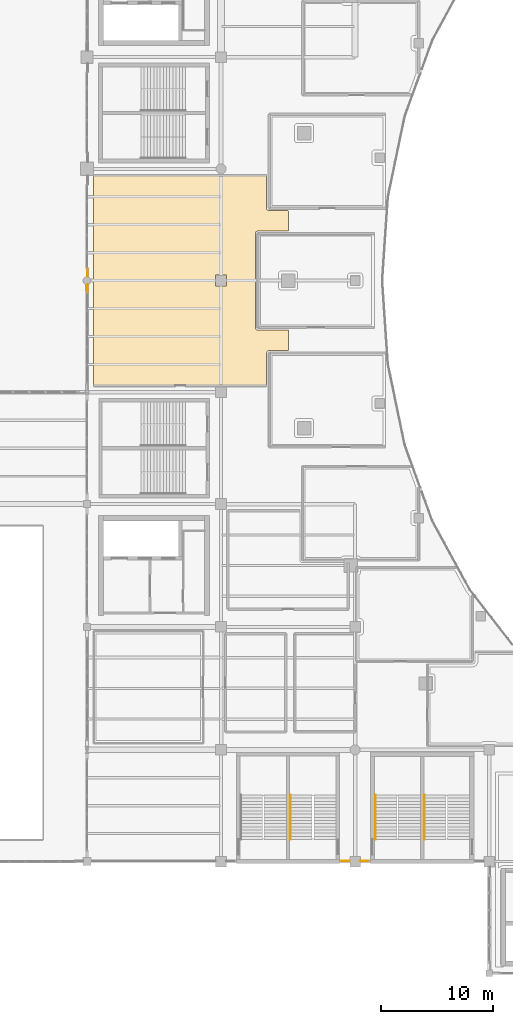
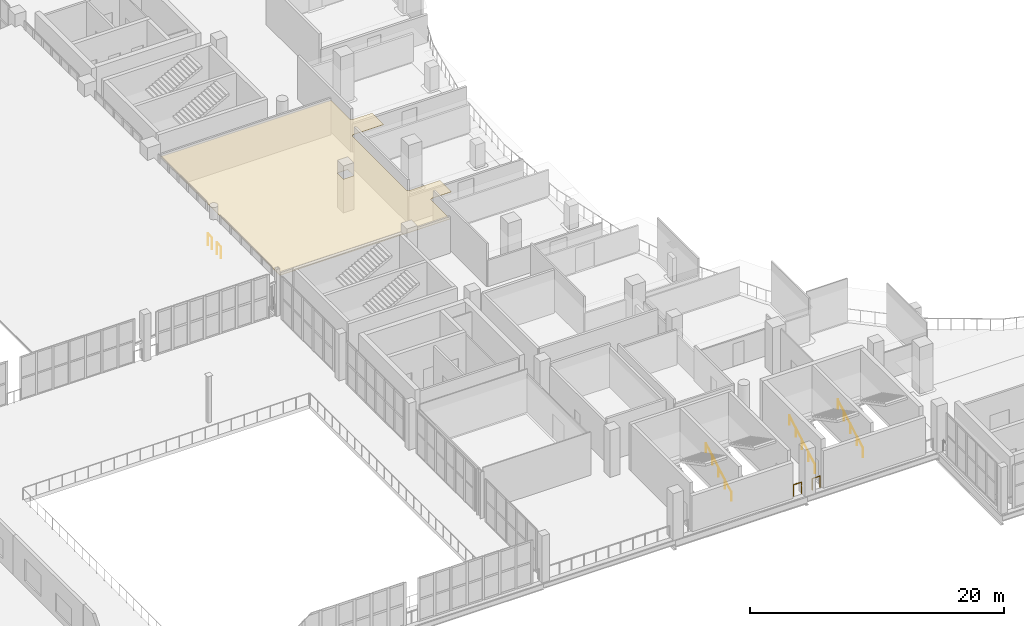
# One storey, part 77 of 90: 7 railings, 1 covering.
"""IFC4 building model written with IfcOpenShell, lengths in metres."""

import ifcopenshell
import ifcopenshell.guid

model = None  # the IFC model being written
_history = None  # IfcOwnerHistory: only IFC2X3 demands one
_inside = {}  # id of a spatial element -> (the spatial element, [elements in it])
_under = {}  # id of a project, library or spatial element -> (it, [spatial elements below it])
_declared = {}  # id of a project -> (the project, [libraries it declares])
_typed = {}  # id of a type object -> (the type object, [elements of that type])
_made_of = {}  # id of a material, layer set ... -> (it, [elements and type objects made of it])


def new_model(schema):
    """Start an empty IFC model of exactly this schema.

    Asked for "IFC4X3", IfcOpenShell would pick the latest addendum, in which some entities
    have other attributes; the version numbers below select the first issue.
    IFC2X3 requires an IfcOwnerHistory on every rooted entity: one is made here for all.
    """
    global model, _history
    if schema == "IFC4X3":
        model = ifcopenshell.file(schema_version=(4, 3, 0, 0))
    else:
        model = ifcopenshell.file(schema=schema)
    _inside.clear()
    _under.clear()
    _declared.clear()
    _typed.clear()
    _made_of.clear()
    _history = None
    if model.schema == "IFC2X3":
        org = make("IfcOrganization", Name="unknown")
        user = make(
            "IfcPersonAndOrganization",
            ThePerson=make("IfcPerson", FamilyName="unknown"),
            TheOrganization=org,
        )
        app = make(
            "IfcApplication",
            ApplicationDeveloper=org,
            Version="unknown",
            ApplicationFullName="unknown",
            ApplicationIdentifier="unknown",
        )
        _history = make(
            "IfcOwnerHistory",
            OwningUser=user,
            OwningApplication=app,
            ChangeAction="ADDED",
            CreationDate=0,
        )
    return model


def make(cls, **values):
    """One entity of the class cls with the attributes given. An attribute that is None is left unset."""
    return model.create_entity(
        cls, **{name: value for name, value in values.items() if value is not None}
    )


def rooted(cls, **values):
    """An entity with a GlobalId (a new one), such as an element, a storey or a relation."""
    return make(cls, GlobalId=ifcopenshell.guid.new(), OwnerHistory=_history, **values)


def si_unit(unit_type, name, prefix=None):
    """IfcSIUnit, for example si_unit("LENGTHUNIT", "METRE", prefix="MILLI")."""
    return make("IfcSIUnit", UnitType=unit_type, Prefix=prefix, Name=name)


def assignment(units):
    """IfcUnitAssignment: the units of a project."""
    return None if units is None else make("IfcUnitAssignment", Units=units)


def point(xyz):
    """IfcCartesianPoint."""
    return None if xyz is None else make("IfcCartesianPoint", Coordinates=xyz)


def direction(xyz):
    """IfcDirection."""
    return None if xyz is None else make("IfcDirection", DirectionRatios=xyz)


def frame(location, z_axis=None, x_axis=None):
    """IfcAxis2Placement3D, a coordinate frame: its origin and axes. An axis left out is left unset."""
    return make(
        "IfcAxis2Placement3D",
        Location=point(location),
        Axis=direction(z_axis),
        RefDirection=direction(x_axis),
    )


def frame_2d(location, x_axis=None):
    """IfcAxis2Placement2D, a coordinate frame in the plane: its origin and x axis."""
    return make(
        "IfcAxis2Placement2D", Location=point(location), RefDirection=direction(x_axis)
    )


def origin():
    """The frame at (0, 0, 0) with its axes left unset."""
    return frame((0.0, 0.0, 0.0))


def origin_2d():
    """The frame at (0, 0) in the plane with its x axis left unset."""
    return frame_2d((0.0, 0.0))


def place(relative_to, where):
    """IfcLocalPlacement: puts the frame where relative to a parent placement (None: the world)."""
    return make(
        "IfcLocalPlacement", PlacementRelTo=relative_to, RelativePlacement=where
    )


def context(
    kind, dimensions, precision=None, world=None, true_north=None, identifier=None
):
    """IfcGeometricRepresentationContext, for example the 3D "Model" context."""
    return make(
        "IfcGeometricRepresentationContext",
        ContextIdentifier=identifier,
        ContextType=kind,
        CoordinateSpaceDimension=dimensions,
        Precision=precision,
        WorldCoordinateSystem=world,
        TrueNorth=true_north,
    )


def subcontext(parent, identifier, kind, view, scale=None):
    """IfcGeometricRepresentationSubContext, for example "Body" below "Model"."""
    return make(
        "IfcGeometricRepresentationSubContext",
        ContextIdentifier=identifier,
        ContextType=kind,
        ParentContext=parent,
        TargetScale=scale,
        TargetView=view,
    )


def project(units=None, contexts=None):
    """IfcProject with its units and contexts."""
    return rooted(
        "IfcProject",
        Name="project",
        RepresentationContexts=contexts,
        UnitsInContext=assignment(units),
    )


def spatial(cls, under=None, at=None, **own):
    """A site, building, storey or space (cls), placed at a placement, below another one or the project."""
    s = rooted(cls, ObjectPlacement=at, **own)
    if under is not None:
        _under.setdefault(under.id(), (under, []))[1].append(s)
    return s


def polyline(points):
    """IfcPolyline through the points."""
    return make("IfcPolyline", Points=[point(p) for p in points])


def profile(cls, at=None, kind="AREA", **sizes):
    """A parametric profile (cls). Its sizes go by their IFC names, for example OverallWidth=200.0."""
    return make(cls, ProfileType=kind, Position=at, **sizes)


def circle(**sizes):
    """IfcCircleProfileDef."""
    return profile("IfcCircleProfileDef", **sizes)


def outline(outer, holes=None, kind="AREA"):
    """IfcArbitraryClosedProfileDef: a profile drawn as a closed curve; with holes, ...WithVoids."""
    if holes is None:
        return make("IfcArbitraryClosedProfileDef", ProfileType=kind, OuterCurve=outer)
    return make(
        "IfcArbitraryProfileDefWithVoids",
        ProfileType=kind,
        OuterCurve=outer,
        InnerCurves=holes,
    )


def extrude(swept, where, along, depth):
    """IfcExtrudedAreaSolid: the profile swept, set in the frame where, extruded along a direction by depth."""
    return make(
        "IfcExtrudedAreaSolid",
        SweptArea=swept,
        Position=where,
        ExtrudedDirection=direction(along),
        Depth=depth,
    )


def shape(context_of_items, identifier, shape_type, items):
    """IfcShapeRepresentation: the items that make up one representation, for example the "Body"."""
    return make(
        "IfcShapeRepresentation",
        ContextOfItems=context_of_items,
        RepresentationIdentifier=identifier,
        RepresentationType=shape_type,
        Items=items,
    )


def material(Name=None, Category=None):
    """IfcMaterial."""
    return make("IfcMaterial", Name=Name, Category=Category)


def layer(
    of_material, thickness, ventilated=None, Name=None, Category=None, Priority=None
):
    """IfcMaterialLayer: one layer of a wall or slab, of a material (None: an air gap)."""
    return make(
        "IfcMaterialLayer",
        Material=of_material,
        LayerThickness=thickness,
        IsVentilated=ventilated,
        Name=Name,
        Category=Category,
        Priority=Priority,
    )


def layer_set(layers, Name=None):
    """IfcMaterialLayerSet."""
    return make("IfcMaterialLayerSet", MaterialLayers=layers, LayerSetName=Name)


def made_of(thing, what):
    """Note that an element or type object is made of a material, layer set ...; save() writes the relation."""
    if what is not None:
        _made_of.setdefault(what.id(), (what, []))[1].append(thing)
    return thing


def type_object(cls, material=None, **own):
    """A type object (cls), such as IfcWallType, which elements share."""
    return made_of(rooted(cls, **own), material)


def element(
    cls,
    number,
    at=None,
    inside=None,
    cuts=None,
    type_object=None,
    material=None,
    context=None,
    identifier="Body",
    shape_type=None,
    held_by="IfcProductDefinitionShape",
    body=None,
    shapes=None,
    **own,
):
    """One element of the class cls, such as IfcWall. Its Tag is "e" and its number.

    at: its placement. inside: the storey or other place that contains it. cuts: it is an
    opening in that element (IfcRelVoidsElement). A single representation is given by context,
    identifier, shape_type and body (its items); several are given by shapes. held_by: the class
    of the entity that holds the representations. save() writes the other relations.
    """
    e = rooted(cls, Tag="e%d" % number, ObjectPlacement=at, **own)
    if body is not None:
        shapes = [shape(context, identifier, shape_type, body)]
    if shapes is not None:
        e.Representation = make(held_by, Representations=shapes)
    if inside is not None:
        _inside.setdefault(inside.id(), (inside, []))[1].append(e)
    if cuts is not None:
        rooted(
            "IfcRelVoidsElement", RelatingBuildingElement=cuts, RelatedOpeningElement=e
        )
    if type_object is not None:
        _typed.setdefault(type_object.id(), (type_object, []))[1].append(e)
    return made_of(e, material)


def aggregate(whole, parts):
    """IfcRelAggregates: a whole, such as a stair, and the parts it consists of."""
    return rooted("IfcRelAggregates", RelatingObject=whole, RelatedObjects=parts)


def save(model, path):
    """Write the relations noted so far, then the file.

    IfcRelAggregates (storeys below a building ...), IfcRelContainedInSpatialStructure (elements
    in a storey), IfcRelDefinesByType, IfcRelAssociatesMaterial and IfcRelDeclares: one each for
    every whole, place, type object, material and project.
    """
    for whole, parts in _under.values():
        aggregate(whole, parts)
    for where, things in _inside.values():
        rooted(
            "IfcRelContainedInSpatialStructure",
            RelatedElements=things,
            RelatingStructure=where,
        )
    for kind, things in _typed.values():
        rooted("IfcRelDefinesByType", RelatedObjects=things, RelatingType=kind)
    for what, things in _made_of.values():
        rooted("IfcRelAssociatesMaterial", RelatedObjects=things, RelatingMaterial=what)
    for by, libraries in _declared.values():
        rooted("IfcRelDeclares", RelatingContext=by, RelatedDefinitions=libraries)
    model.write(path)


model = new_model("IFC4")

# Units and contexts
model_context = context("Model", 3, precision=1e-05, world=origin(), true_north=direction((0.0, 1.0)))
body_context = subcontext(model_context, "Body", "Model", "MODEL_VIEW")
ifc_project = project(units=[si_unit("LENGTHUNIT", "METRE"), si_unit("AREAUNIT", "SQUARE_METRE"), si_unit("VOLUMEUNIT", "CUBIC_METRE"), si_unit("PLANEANGLEUNIT", "RADIAN"), si_unit("MASSUNIT", "GRAM", prefix="KILO")], contexts=[model_context])

# Site, building, storey
site_placement = place(None, origin())
site = spatial("IfcSite", under=ifc_project, at=site_placement, CompositionType="ELEMENT")
building_placement = place(site_placement, origin())
building = spatial("IfcBuilding", under=site, at=building_placement, Name="Brinegate Civic Arena", CompositionType="ELEMENT")
storey_placement = place(building_placement, frame((0.0, 0.0, 14.699951171875)))
storey = spatial("IfcBuildingStorey", under=building, at=storey_placement, Name="L03", CompositionType="ELEMENT", Elevation=14.699951171875)

# Covering
ifc_material_1 = material(Name="Acoustic perforated aluminium ceiling", Category="aluminium")
ifc_layer = layer(ifc_material_1, 0.034912109375, Name="Acoustic perforated aluminium ceiling")
ifc_layer_set = layer_set([ifc_layer], Name="Acoustic perforated aluminium ceiling")
covering_type = type_object("IfcCoveringType", Name="CEILING-ACOUSTIC-35", PredefinedType="CEILING", material=ifc_layer_set)
covering_placement = place(storey_placement, frame((0.0, 0.0, 3.22509765625)))
element("IfcCovering", 1, at=covering_placement, inside=storey, type_object=covering_type, Name="Acoustic Ceiling L03-007", PredefinedType="CEILING", context=body_context, shape_type="SweptSolid", body=[
    extrude(outline(polyline([(64.06591796875, 71.419921875), (64.068115234375, 71.4189453125), (64.070068359375, 71.41796875), (64.071044921875, 71.41796875), (64.072998046875, 71.4169921875), (64.074951171875, 71.4150390625), (64.075927734375, 71.4140625), (64.076904296875, 71.4130859375), (64.0791015625, 71.410888671875), (64.080078125, 71.408935546875), (64.080078125, 71.407958984375), (64.0810546875, 71.406005859375), (64.08203125, 71.404052734375), (64.08203125, 71.402099609375), (64.08203125, 71.39990234375), (64.08203125, 68.485107421875), (64.0830078125, 68.4619140625), (64.092041015625, 68.41796875), (64.110107421875, 68.3759765625), (64.12109375, 68.35693359375), (64.134033203125, 68.339111328125), (64.166015625, 68.30810546875), (64.202880859375, 68.282958984375), (64.2451171875, 68.264892578125), (64.2890625, 68.256103515625), (66.0, 68.2548828125), (66.001953125, 68.2548828125), (66.00390625, 68.2548828125), (66.006103515625, 68.25390625), (66.008056640625, 68.2529296875), (66.009033203125, 68.2529296875), (66.010986328125, 68.251953125), (66.012939453125, 68.25), (66.013916015625, 68.2490234375), (66.014892578125, 68.248046875), (66.01708984375, 68.24609375), (66.01806640625, 68.243896484375), (66.01806640625, 68.242919921875), (66.01904296875, 68.240966796875), (66.02001953125, 68.239013671875), (66.02001953125, 68.237060546875), (66.02001953125, 68.235107421875), (66.02001953125, 66.449951171875), (66.02001953125, 66.447998046875), (66.02001953125, 66.446044921875), (66.01904296875, 66.444091796875), (66.01806640625, 66.44189453125), (66.01806640625, 66.44091796875), (66.01708984375, 66.43896484375), (66.014892578125, 66.43701171875), (66.013916015625, 66.43603515625), (66.012939453125, 66.43505859375), (66.010986328125, 66.43310546875), (66.009033203125, 66.431884765625), (66.008056640625, 66.431884765625), (66.006103515625, 66.430908203125), (66.00390625, 66.429931640625), (66.001953125, 66.429931640625), (66.0, 66.429931640625), (63.277099609375, 66.428955078125), (63.23193359375, 66.419921875), (63.2119140625, 66.4130859375), (63.172119140625, 66.39111328125), (63.136962890625, 66.363037109375), (63.123046875, 66.346923828125), (63.097900390625, 66.30908203125), (63.080078125, 66.26708984375), (63.071044921875, 66.222900390625), (63.070068359375, 57.801025390625), (63.074951171875, 57.75390625), (63.080078125, 57.73291015625), (63.097900390625, 57.69091796875), (63.10888671875, 57.672119140625), (63.136962890625, 57.636962890625), (63.154052734375, 57.623046875), (63.172119140625, 57.60888671875), (63.2119140625, 57.587890625), (63.256103515625, 57.574951171875), (63.277099609375, 57.571044921875), (66.0, 57.570068359375), (66.001953125, 57.570068359375), (66.00390625, 57.570068359375), (66.006103515625, 57.569091796875), (66.008056640625, 57.568115234375), (66.009033203125, 57.568115234375), (66.010986328125, 57.56689453125), (66.012939453125, 57.56494140625), (66.013916015625, 57.56396484375), (66.014892578125, 57.56298828125), (66.01708984375, 57.56103515625), (66.01806640625, 57.55908203125), (66.01806640625, 57.55810546875), (66.01904296875, 57.555908203125), (66.02001953125, 57.553955078125), (66.02001953125, 57.552001953125), (66.02001953125, 57.550048828125), (66.02001953125, 55.764892578125), (66.02001953125, 55.762939453125), (66.02001953125, 55.760986328125), (66.01904296875, 55.759033203125), (66.01806640625, 55.757080078125), (66.01806640625, 55.756103515625), (66.01708984375, 55.75390625), (66.014892578125, 55.751953125), (66.013916015625, 55.7509765625), (66.012939453125, 55.75), (66.010986328125, 55.748046875), (66.009033203125, 55.7470703125), (66.008056640625, 55.7470703125), (66.006103515625, 55.74609375), (66.00390625, 55.7451171875), (66.001953125, 55.7451171875), (66.0, 55.7451171875), (64.2890625, 55.743896484375), (64.2451171875, 55.735107421875), (64.202880859375, 55.717041015625), (64.18408203125, 55.7060546875), (64.14892578125, 55.677978515625), (64.135009765625, 55.660888671875), (64.12109375, 55.64306640625), (64.10009765625, 55.60302734375), (64.0869140625, 55.56005859375), (64.08203125, 55.513916015625), (64.08203125, 52.60009765625), (64.08203125, 52.597900390625), (64.08203125, 52.595947265625), (64.0810546875, 52.593994140625), (64.080078125, 52.592041015625), (64.080078125, 52.591064453125), (64.0791015625, 52.589111328125), (64.076904296875, 52.5869140625), (64.075927734375, 52.5859375), (64.074951171875, 52.5849609375), (64.072998046875, 52.5830078125), (64.071044921875, 52.58203125), (64.070068359375, 52.58203125), (64.068115234375, 52.5810546875), (64.06591796875, 52.580078125), (64.06396484375, 52.580078125), (64.06201171875, 52.580078125), (48.60009765625, 52.580078125), (48.597900390625, 52.580078125), (48.595947265625, 52.580078125), (48.593994140625, 52.5810546875), (48.592041015625, 52.58203125), (48.591064453125, 52.58203125), (48.589111328125, 52.5830078125), (48.5869140625, 52.5849609375), (48.5859375, 52.5859375), (48.5849609375, 52.5869140625), (48.5830078125, 52.589111328125), (48.58203125, 52.591064453125), (48.58203125, 52.592041015625), (48.5810546875, 52.593994140625), (48.580078125, 52.595947265625), (48.580078125, 52.597900390625), (48.580078125, 52.60009765625), (48.580078125, 71.389892578125), (48.610107421875, 71.389892578125), (48.610107421875, 71.419921875), (64.06201171875, 71.419921875), (64.06396484375, 71.419921875), (64.06591796875, 71.419921875)]), holes=[polyline([(59.514892578125, 62.485107421875), (59.514892578125, 61.514892578125), (60.485107421875, 61.514892578125), (60.485107421875, 62.485107421875), (59.514892578125, 62.485107421875)])]), origin(), (0.0, 0.0, 1.0), 0.034912109375),
])

# Railings
ifc_material_2 = material(Name="Architectural stainless steel balustrade", Category="steel")
railing_type_1 = type_object("IfcRailingType", Name="RAIL-STAIR-HANDRAIL-900", PredefinedType="HANDRAIL", material=ifc_material_2)
for number, where, name in (
    (2, (66.22509765625, 11.969970703125, 0.0), "Stair Pitch Handrail ST-02B L03"),
    (3, (73.824951171875, 11.969970703125, 0.0), "Stair Pitch Handrail ST-12A L03"),
    (4, (78.22509765625, 11.969970703125, 0.0), "Stair Pitch Handrail ST-12B L03"),
):
    element("IfcRailing", number, at=place(storey_placement, frame(where)), inside=storey, type_object=railing_type_1, Name=name, PredefinedType="HANDRAIL", context=body_context, shape_type="SweptSolid", body=[
        extrude(circle(Radius=0.02392578125, at=origin_2d()), frame((0.0, 0.001220703125, 0.876708984375), z_axis=(0.0, 0.871049806155, 0.491194701923), x_axis=(-1.0, 0.0, 0.0)), (0.0, 0.0, 1.0), 4.57763671875),
        extrude(circle(Radius=0.02099609375, at=origin_2d()), origin(), (0.0, 0.0, 1.0), 0.849853515625),
        extrude(circle(Radius=0.02099609375, at=origin_2d()), frame((0.0, 0.99755859375, 0.5625)), (0.0, 0.0, 1.0), 0.849853515625),
        extrude(circle(Radius=0.02099609375, at=origin_2d()), frame((0.0, 1.9951171875, 1.125)), (0.0, 0.0, 1.0), 0.849853515625),
        extrude(circle(Radius=0.02099609375, at=origin_2d()), frame((0.0, 2.992431640625, 1.6875)), (0.0, 0.0, 1.0), 0.849853515625),
        extrude(circle(Radius=0.02099609375, at=origin_2d()), frame((0.0, 3.989990234375, 2.25)), (0.0, 0.0, 1.0), 0.849853515625),
    ])
railing_type_2 = type_object("IfcRailingType", Name="RAIL-VOID-BALUSTRADE-1120", PredefinedType="BALUSTRADE", material=ifc_material_2)
for number, where, name in (
    (5, (48.070068359375, 60.955078125, 0.0), "Deck Edge Balustrade L03-219"),
    (6, (48.070068359375, 62.3701171875, 0.0), "Deck Edge Balustrade L03-220"),
):
    element("IfcRailing", number, at=place(storey_placement, frame(where)), inside=storey, type_object=railing_type_2, Name=name, PredefinedType="BALUSTRADE", context=body_context, shape_type="SweptSolid", body=[
        extrude(circle(Radius=0.02392578125, at=origin_2d()), frame((0.0, 0.00146484375, 1.09619140625), z_axis=(0.0, 1.0, 0.0), x_axis=(-1.0, 0.0, 0.0)), (0.0, 0.0, 1.0), 0.671875),
        extrude(circle(Radius=0.02099609375, at=origin_2d()), origin(), (0.0, 0.0, 1.0), 1.070068359375),
        extrude(circle(Radius=0.02099609375, at=origin_2d()), frame((0.0, 0.6748046875, 0.0)), (0.0, 0.0, 1.0), 1.070068359375),
    ])
for number, where, name in (
    (7, (73.199951171875, 10.070068359375, 0.0), "Deck Edge Balustrade L03-292"),
    (8, (71.5048828125, 10.070068359375, 0.0), "Deck Edge Balustrade L03-293"),
):
    element("IfcRailing", number, at=place(storey_placement, frame(where)), inside=storey, type_object=railing_type_2, Name=name, PredefinedType="BALUSTRADE", context=body_context, shape_type="SweptSolid", body=[
        extrude(circle(Radius=0.02392578125, at=origin_2d()), frame((-0.00146484375, 0.0, 1.09619140625), z_axis=(-1.0, 0.0, 0.0), x_axis=(0.0, -1.0, 0.0)), (0.0, 0.0, 1.0), 0.701904296875),
        extrude(circle(Radius=0.02099609375, at=origin_2d()), origin(), (0.0, 0.0, 1.0), 1.070068359375),
        extrude(circle(Radius=0.02099609375, at=origin_2d()), frame((-0.704833984375, 0.0, 0.0)), (0.0, 0.0, 1.0), 1.070068359375),
    ])

save(model, "model.ifc")
